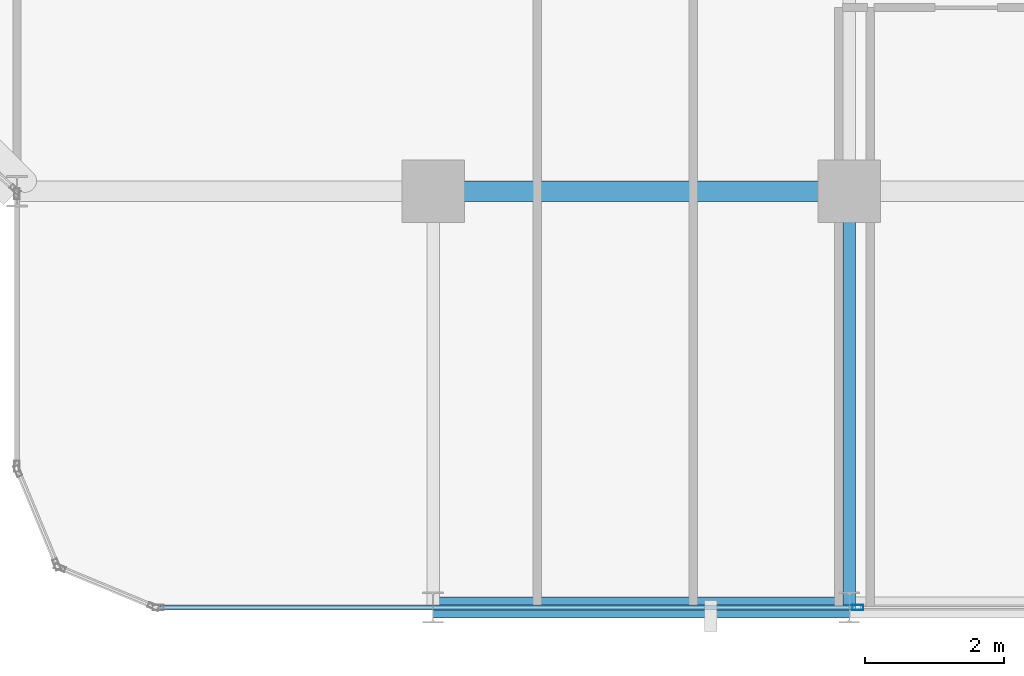
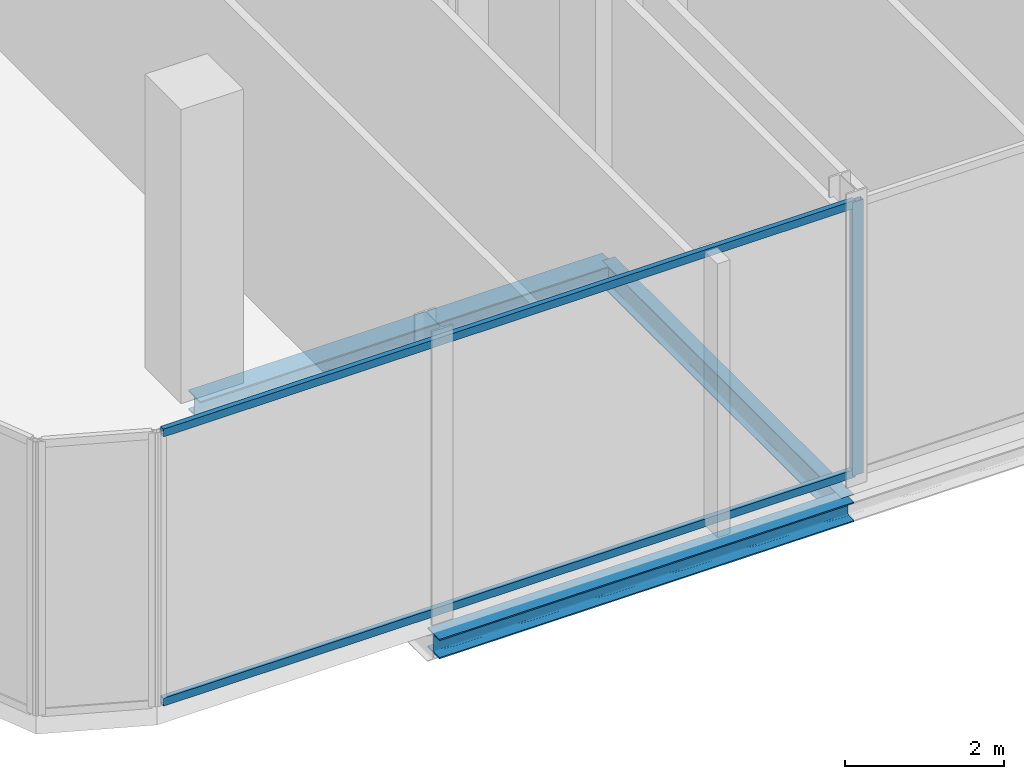
# One storey, part 6 of 28: 3 beams, 3 members, 1 element without a shape of its own.
"""IFC4 building model written with IfcOpenShell, lengths in metres."""

from ifc_helpers import new_model, si_unit, direction, frame, origin, origin_2d, place, context, subcontext, project, spatial, hollow_rectangle, i_section, extrude, material, layer, layer_set, material_profile, profile_set, type_object, element, aggregate, save


model = new_model("IFC4")

# Units and contexts
model_context = context("Model", 3, precision=1e-05, world=origin(), true_north=direction((0.0, 1.0)))
body_context = subcontext(model_context, "Body", "Model", "MODEL_VIEW")
ifc_project = project(units=[si_unit("LENGTHUNIT", "METRE"), si_unit("AREAUNIT", "SQUARE_METRE"), si_unit("VOLUMEUNIT", "CUBIC_METRE"), si_unit("PLANEANGLEUNIT", "RADIAN"), si_unit("MASSUNIT", "GRAM", prefix="KILO")], contexts=[model_context])

# Site, building, storey
site_placement = place(None, origin())
site = spatial("IfcSite", under=ifc_project, at=site_placement, CompositionType="ELEMENT")
building_placement = place(site_placement, origin())
building = spatial("IfcBuilding", under=site, at=building_placement, Name="Keshet Zoharim Tower", CompositionType="ELEMENT")
storey_placement = place(building_placement, frame((0.0, 0.0, 164.60009765625)))
storey = spatial("IfcBuildingStorey", under=building, at=storey_placement, Name="L40", CompositionType="ELEMENT", Elevation=164.60009765625)

# Beams
ifc_material_1 = material(Name="Steel S355", Category="steel")
ifc_material_profile_1 = material_profile(ifc_material_1, i_section(OverallWidth=0.300048828125, OverallDepth=0.300048828125, WebThickness=0.010986328125, FlangeThickness=0.01904296875, FilletRadius=0.027099609375, at=origin_2d()), Name="HEB300")
ifc_profile_set_1 = profile_set([ifc_material_profile_1], Name="Steel S355")
beam_type_1 = type_object("IfcBeamType", Name="BM-PRI-HB300", PredefinedType="BEAM", material=ifc_profile_set_1)
for number, where, z_axis, x_axis, name in (
    (1, (27.0, 0.699951171875, -0.460205078125), (1.0, 0.0, 0.0), (0.0, 1.0, 0.0), "L40 Primary Girder X-001"),
    (2, (27.0, 6.699951171875, -0.460205078125), (1.0, 0.0, 0.0), (0.0, 1.0, 0.0), "L40 Primary Girder X-006"),
):
    element("IfcBeam", number, at=place(storey_placement, frame(where, z_axis=z_axis, x_axis=x_axis)), inside=storey, type_object=beam_type_1, Name=name, PredefinedType="BEAM", context=body_context, shape_type="SweptSolid", body=[
        extrude(i_section(OverallWidth=0.300048828125, OverallDepth=0.300048828125, WebThickness=0.010986328125, FlangeThickness=0.01904296875, FilletRadius=0.027099609375, at=origin_2d()), origin(), (0.0, 0.0, 1.0), 6.0),
    ])
ifc_material_profile_2 = material_profile(ifc_material_1, i_section(OverallWidth=0.179931640625, OverallDepth=0.39990234375, WebThickness=0.008544921875, FlangeThickness=0.013427734375, FilletRadius=0.02099609375, at=origin_2d()), Name="IPE400")
ifc_profile_set_2 = profile_set([ifc_material_profile_2], Name="Steel S355")
beam_type_2 = type_object("IfcBeamType", Name="BM-PRI-IP400", PredefinedType="BEAM", material=ifc_profile_set_2)
beam_placement = place(storey_placement, frame((33.0, 0.699951171875, -0.510009765625), z_axis=(0.0, 1.0, 0.0), x_axis=(-1.0, 0.0, 0.0)))
element("IfcBeam", 3, at=beam_placement, inside=storey, type_object=beam_type_2, Name="L40 Primary Girder Y-005", PredefinedType="BEAM", context=body_context, shape_type="SweptSolid", body=[
    extrude(i_section(OverallWidth=0.179931640625, OverallDepth=0.39990234375, WebThickness=0.008544921875, FlangeThickness=0.013427734375, FilletRadius=0.02099609375, at=origin_2d()), origin(), (0.0, 0.0, 1.0), 6.0),
])

# Curtain wall, members
ifc_material_2 = material(Name="Aluminium 6063-T6", Category="aluminium")
ifc_layer = layer(ifc_material_2, 0.139892578125)
ifc_layer_set = layer_set([ifc_layer], Name="Aluminium 6063-T6")
curtain_wall_type = type_object("IfcCurtainWallType", Name="CW-SYS-05", PredefinedType="NOTDEFINED", material=ifc_layer_set)
curtain_wall_placement = place(storey_placement, origin())
curtain_wall = element("IfcCurtainWall", 4, at=curtain_wall_placement, inside=storey, type_object=curtain_wall_type, Name="L40 Unitised Curtain Wall 06 Part 3", PredefinedType="NOTDEFINED")
ifc_material_profile_3 = material_profile(ifc_material_2, hollow_rectangle(XDim=0.074951171875, YDim=0.159912109375, WallThickness=0.00390625, at=origin_2d()), Name="MUL-75x160")
ifc_profile_set_3 = profile_set([ifc_material_profile_3], Name="Aluminium 6063-T6")
member_type_1 = type_object("IfcMemberType", Name="CWM-M15", PredefinedType="MULLION", material=ifc_profile_set_3)
member_1_placement = place(storey_placement, frame((33.123779296875, 0.699951171875, 0.0), z_axis=(0.0, 0.0, 1.0), x_axis=(0.0, -1.0, 0.0)))
member_1 = element("IfcMember", 5, at=member_1_placement, type_object=member_type_1, Name="CW-05 mullion 2", PredefinedType="MULLION", context=body_context, shape_type="SweptSolid", body=[
    extrude(hollow_rectangle(XDim=0.074951171875, YDim=0.159912109375, WallThickness=0.00390625, at=origin_2d()), origin(), (0.0, 0.0, 1.0), 4.18994140625),
])
ifc_material_profile_4 = material_profile(ifc_material_2, hollow_rectangle(XDim=0.074951171875, YDim=0.1201171875, WallThickness=0.00390625, at=origin_2d()), Name="TRN-75x120")
ifc_profile_set_4 = profile_set([ifc_material_profile_4], Name="Aluminium 6063-T6")
member_type_2 = type_object("IfcMemberType", Name="CWT-T12", PredefinedType="USERDEFINED", material=ifc_profile_set_4)
member_2_placement = place(storey_placement, frame((33.0888671875, 0.699951171875, 0.034912109375), z_axis=(-1.0, 0.0, 0.0), x_axis=(0.0, -1.0, 0.0)))
member_2 = element("IfcMember", 6, at=member_2_placement, type_object=member_type_2, Name="CW-05 transom 2.1", ObjectType="TRANSOM", PredefinedType="USERDEFINED", context=body_context, shape_type="SweptSolid", body=[
    extrude(hollow_rectangle(XDim=0.074951171875, YDim=0.1201171875, WallThickness=0.00390625, at=origin_2d()), origin(), (0.0, 0.0, 1.0), 10.018798828125),
])
member_3_placement = place(storey_placement, frame((33.0888671875, 0.699951171875, 4.15478515625), z_axis=(-1.0, 0.0, 0.0), x_axis=(0.0, -1.0, 0.0)))
member_3 = element("IfcMember", 7, at=member_3_placement, type_object=member_type_2, Name="CW-05 transom 2.2", ObjectType="TRANSOM", PredefinedType="USERDEFINED", context=body_context, shape_type="SweptSolid", body=[
    extrude(hollow_rectangle(XDim=0.074951171875, YDim=0.1201171875, WallThickness=0.00390625, at=origin_2d()), origin(), (0.0, 0.0, 1.0), 10.018798828125),
])
aggregate(curtain_wall, [member_1, member_2, member_3])

save(model, "model.ifc")
